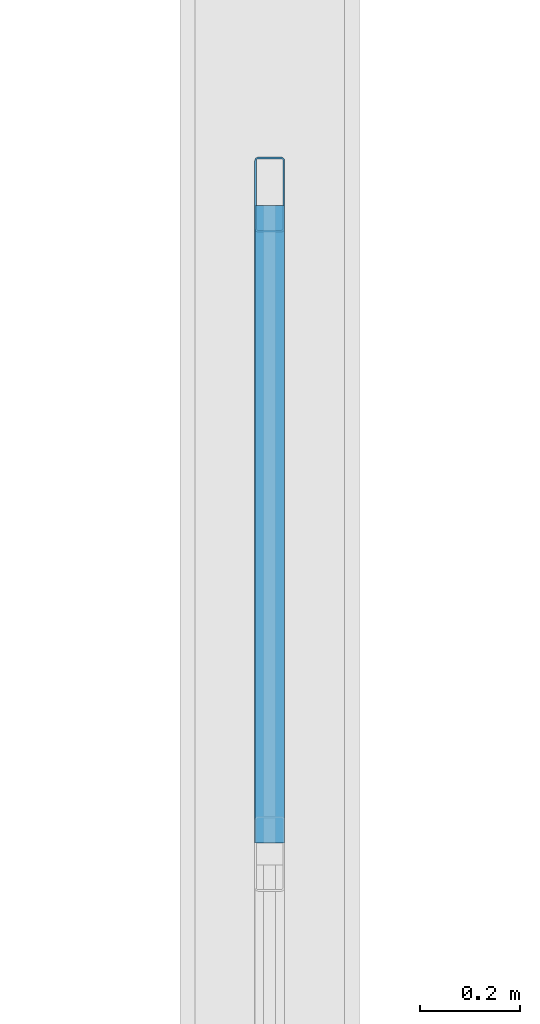
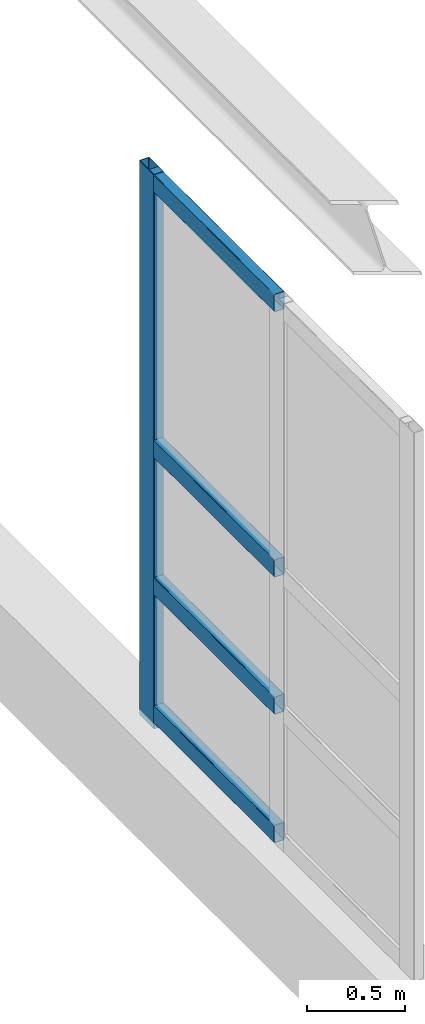
# One storey, part 68 of 197: 5 members, 1 element without a shape of its own.
"""IFC4 building model written with IfcOpenShell, lengths in metres."""

from ifc_helpers import new_model, si_unit, derived_unit, direction, frame, origin, origin_2d, place, context, subcontext, project, spatial, hollow_rectangle, extrude, material, layer, layer_set, material_profile, profile_set, type_object, element, aggregate, save


model = new_model("IFC4")

# Units and contexts
model_context = context("Model", 3, precision=1e-05, world=origin(), true_north=direction((0.0, 1.0)))
body_context = subcontext(model_context, "Body", "Model", "MODEL_VIEW")
ifc_project = project(units=[si_unit("LENGTHUNIT", "METRE"), si_unit("AREAUNIT", "SQUARE_METRE"), si_unit("VOLUMEUNIT", "CUBIC_METRE"), si_unit("PLANEANGLEUNIT", "RADIAN"), si_unit("MASSUNIT", "GRAM", prefix="KILO"), derived_unit("THERMALTRANSMITTANCEUNIT", [(si_unit("POWERUNIT", "WATT"), 1), (si_unit("LENGTHUNIT", "METRE"), -2), (si_unit("THERMODYNAMICTEMPERATUREUNIT", "KELVIN"), -1)])], contexts=[model_context])

# Site, building, storey
site_placement = place(None, origin())
site = spatial("IfcSite", under=ifc_project, at=site_placement, CompositionType="ELEMENT")
building_placement = place(site_placement, origin())
building = spatial("IfcBuilding", under=site, at=building_placement, Name="Almenara Railside Exhibition Hall", CompositionType="ELEMENT")
storey_placement = place(building_placement, frame((0.0, 0.0, 5.39990234375)))
storey = spatial("IfcBuildingStorey", under=building, at=storey_placement, Name="L01", CompositionType="ELEMENT", Elevation=5.39990234375)

# Curtain wall, members
ifc_material_1 = material(Name="Bronze-anodised aluminium and low-E double glazing", Category="aluminium")
ifc_layer = layer(ifc_material_1, 0.179931640625, Name="Bronze-anodised aluminium and low-E double glazing")
ifc_layer_set = layer_set([ifc_layer], Name="Bronze-anodised aluminium and low-E double glazing")
curtain_wall_type = type_object("IfcCurtainWallType", Name="Courtyard South Galeria Curtain Wall 2700x3400", PredefinedType="NOTDEFINED", material=ifc_layer_set)
curtain_wall_placement = place(storey_placement, origin())
curtain_wall = element("IfcCurtainWall", 1, at=curtain_wall_placement, inside=storey, type_object=curtain_wall_type, Name="Curtain wall CW-CY3-157", PredefinedType="NOTDEFINED")
ifc_material_2 = material(Name="Bronze-anodised aluminium", Category="aluminium")
ifc_material_profile_1 = material_profile(ifc_material_2, hollow_rectangle(XDim=0.06005859375, YDim=0.14990234375, WallThickness=0.00341796875, InnerFilletRadius=0.00341796875, OuterFilletRadius=0.007080078125, at=origin_2d()), Name="ALU-MUL 60x150x3.5")
ifc_profile_set_1 = profile_set([ifc_material_profile_1], Name="Bronze-anodised aluminium")
member_type_1 = type_object("IfcMemberType", Name="Curtain Wall Mullion 60x150x3.5", PredefinedType="MULLION", material=ifc_profile_set_1)
member_1_placement = place(storey_placement, frame((84.0, 78.1064453125, 0.565185546875), z_axis=(0.0, 0.0, 1.0), x_axis=(1.0, 0.0, 0.0)))
member_1 = element("IfcMember", 2, at=member_1_placement, type_object=member_type_1, Name="CW-CY3-157 mullion 1", PredefinedType="MULLION", context=body_context, shape_type="SweptSolid", body=[
    extrude(hollow_rectangle(XDim=0.06005859375, YDim=0.14990234375, WallThickness=0.00341796875, InnerFilletRadius=0.00341796875, OuterFilletRadius=0.007080078125, at=origin_2d()), origin(), (0.0, 0.0, 1.0), 3.434814453125),
])
ifc_material_profile_2 = material_profile(ifc_material_2, hollow_rectangle(XDim=0.06005859375, YDim=0.110107421875, WallThickness=0.0029296875, InnerFilletRadius=0.0029296875, OuterFilletRadius=0.006103515625, at=origin_2d()), Name="ALU-TRN 60x110x3")
ifc_profile_set_2 = profile_set([ifc_material_profile_2], Name="Bronze-anodised aluminium")
member_type_2 = type_object("IfcMemberType", Name="Curtain Wall Transom 60x110x3", PredefinedType="USERDEFINED", material=ifc_profile_set_2)
member_2_placement = place(storey_placement, frame((84.0, 78.08447265625, 0.655029296875), z_axis=(0.0, -1.0, 0.0), x_axis=(1.0, 0.0, 0.0)))
member_2 = element("IfcMember", 3, at=member_2_placement, type_object=member_type_2, Name="CW-CY3-157 transom 1.1", ObjectType="TRANSOM", PredefinedType="USERDEFINED", context=body_context, shape_type="SweptSolid", body=[
    extrude(hollow_rectangle(XDim=0.06005859375, YDim=0.110107421875, WallThickness=0.0029296875, InnerFilletRadius=0.0029296875, OuterFilletRadius=0.006103515625, at=origin_2d()), origin(), (0.0, 0.0, 1.0), 1.276123046875),
])
member_3_placement = place(storey_placement, frame((84.0, 78.08447265625, 1.4501953125), z_axis=(0.0, -1.0, 0.0), x_axis=(1.0, 0.0, 0.0)))
member_3 = element("IfcMember", 4, at=member_3_placement, type_object=member_type_2, Name="CW-CY3-157 transom 1.2", ObjectType="TRANSOM", PredefinedType="USERDEFINED", context=body_context, shape_type="SweptSolid", body=[
    extrude(hollow_rectangle(XDim=0.06005859375, YDim=0.110107421875, WallThickness=0.0029296875, InnerFilletRadius=0.0029296875, OuterFilletRadius=0.006103515625, at=origin_2d()), origin(), (0.0, 0.0, 1.0), 1.276123046875),
])
member_4_placement = place(storey_placement, frame((84.0, 78.08447265625, 2.300048828125), z_axis=(0.0, -1.0, 0.0), x_axis=(1.0, 0.0, 0.0)))
member_4 = element("IfcMember", 5, at=member_4_placement, type_object=member_type_2, Name="CW-CY3-157 transom 1.3", ObjectType="TRANSOM", PredefinedType="USERDEFINED", context=body_context, shape_type="SweptSolid", body=[
    extrude(hollow_rectangle(XDim=0.06005859375, YDim=0.110107421875, WallThickness=0.0029296875, InnerFilletRadius=0.0029296875, OuterFilletRadius=0.006103515625, at=origin_2d()), origin(), (0.0, 0.0, 1.0), 1.276123046875),
])
member_5_placement = place(storey_placement, frame((84.0, 78.08447265625, 3.945068359375), z_axis=(0.0, -1.0, 0.0), x_axis=(1.0, 0.0, 0.0)))
member_5 = element("IfcMember", 6, at=member_5_placement, type_object=member_type_2, Name="CW-CY3-157 transom 1.4", ObjectType="TRANSOM", PredefinedType="USERDEFINED", context=body_context, shape_type="SweptSolid", body=[
    extrude(hollow_rectangle(XDim=0.06005859375, YDim=0.110107421875, WallThickness=0.0029296875, InnerFilletRadius=0.0029296875, OuterFilletRadius=0.006103515625, at=origin_2d()), origin(), (0.0, 0.0, 1.0), 1.276123046875),
])
aggregate(curtain_wall, [member_1, member_2, member_3, member_4, member_5])

save(model, "model.ifc")
